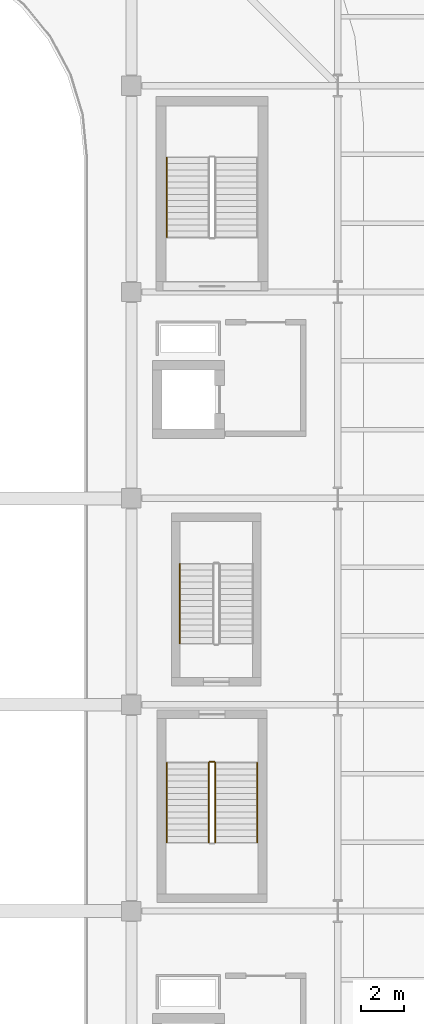
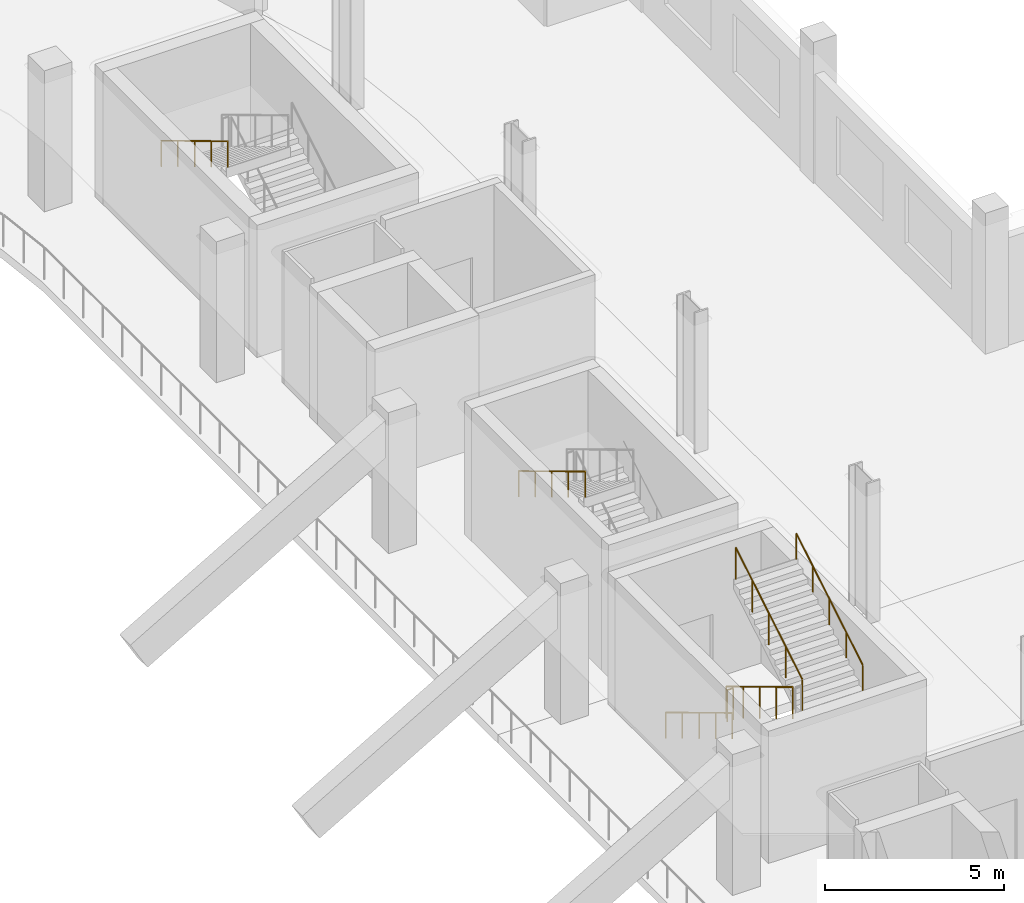
# One storey, part 93 of 100: 7 railings.
"""IFC4 building model written with IfcOpenShell, lengths in metres."""

from ifc_helpers import new_model, si_unit, direction, frame, origin, origin_2d, place, context, subcontext, project, spatial, circle, extrude, material, type_object, element, save


model = new_model("IFC4")

# Units and contexts
model_context = context("Model", 3, precision=1e-05, world=origin(), true_north=direction((0.0, 1.0)))
body_context = subcontext(model_context, "Body", "Model", "MODEL_VIEW")
ifc_project = project(units=[si_unit("LENGTHUNIT", "METRE"), si_unit("AREAUNIT", "SQUARE_METRE"), si_unit("VOLUMEUNIT", "CUBIC_METRE"), si_unit("PLANEANGLEUNIT", "RADIAN"), si_unit("MASSUNIT", "GRAM", prefix="KILO")], contexts=[model_context])

# Site, building, storey
site_placement = place(None, origin())
site = spatial("IfcSite", under=ifc_project, at=site_placement, CompositionType="ELEMENT")
building_placement = place(site_placement, origin())
building = spatial("IfcBuilding", under=site, at=building_placement, Name="Caelomonte Colonnade Arena", CompositionType="ELEMENT")
storey_placement = place(building_placement, origin())
storey = spatial("IfcBuildingStorey", under=building, at=storey_placement, Name="L00", CompositionType="ELEMENT", Elevation=0.0)

# Railings
ifc_material_1 = material(Name="Painted galvanized steel stair guard", Category="steel")
railing_type_1 = type_object("IfcRailingType", Name="INT-RL-GRD", PredefinedType="GUARDRAIL", material=ifc_material_1)
railing_1_placement = place(storey_placement, frame((157.199951171875, 64.5, 0.17138671875)))
element("IfcRailing", 1, at=railing_1_placement, inside=storey, type_object=railing_type_1, Name="L00 ST-10 stair guard 1", PredefinedType="GUARDRAIL", context=body_context, shape_type="SweptSolid", body=[
    extrude(circle(Radius=0.02392578125, at=origin_2d()), frame((0.0, 0.0, 1.076171875), z_axis=(0.0, -0.856934400257, 0.515425487977), x_axis=(1.0, 0.0, 0.0)), (0.0, 0.0, 1.0), 4.32373046875),
    extrude(circle(Radius=0.02099609375, at=origin_2d()), origin(), (0.0, 0.0, 1.0), 1.048095703125),
    extrude(circle(Radius=0.02099609375, at=origin_2d()), frame((0.0, -0.92626953125, 0.55712890625)), (0.0, 0.0, 1.0), 1.048095703125),
    extrude(circle(Radius=0.02099609375, at=origin_2d()), frame((0.0, -1.8525390625, 1.1142578125)), (0.0, 0.0, 1.0), 1.048095703125),
    extrude(circle(Radius=0.02099609375, at=origin_2d()), frame((0.0, -2.77880859375, 1.67138671875)), (0.0, 0.0, 1.0), 1.048095703125),
    extrude(circle(Radius=0.02099609375, at=origin_2d()), frame((0.0, -3.705078125, 2.228515625)), (0.0, 0.0, 1.0), 1.048095703125),
])
railing_2_placement = place(storey_placement, frame((157.5, 60.794921875, 2.571533203125)))
element("IfcRailing", 2, at=railing_2_placement, inside=storey, type_object=railing_type_1, Name="L00 ST-10 stair guard 3", PredefinedType="GUARDRAIL", context=body_context, shape_type="SweptSolid", body=[
    extrude(circle(Radius=0.02392578125, at=origin_2d()), frame((0.0, 0.0, 1.076171875), z_axis=(0.0, 0.856934400257, 0.515425487977), x_axis=(-1.0, 0.0, 0.0)), (0.0, 0.0, 1.0), 4.32373046875),
    extrude(circle(Radius=0.02099609375, at=origin_2d()), origin(), (0.0, 0.0, 1.0), 1.048095703125),
    extrude(circle(Radius=0.02099609375, at=origin_2d()), frame((0.0, 0.92626953125, 0.55712890625)), (0.0, 0.0, 1.0), 1.048095703125),
    extrude(circle(Radius=0.02099609375, at=origin_2d()), frame((0.0, 1.8525390625, 1.1142578125)), (0.0, 0.0, 1.0), 1.048095703125),
    extrude(circle(Radius=0.02099609375, at=origin_2d()), frame((0.0, 2.77880859375, 1.67138671875)), (0.0, 0.0, 1.0), 1.048095703125),
    extrude(circle(Radius=0.02099609375, at=origin_2d()), frame((0.0, 3.705078125, 2.228515625)), (0.0, 0.0, 1.0), 1.048095703125),
])
railing_3_placement = place(storey_placement, frame((157.25, 64.550048828125, 0.0)))
element("IfcRailing", 3, at=railing_3_placement, inside=storey, type_object=railing_type_1, Name="L00 ST-10 stair guard 4", PredefinedType="GUARDRAIL", context=body_context, shape_type="SweptSolid", body=[
    extrude(circle(Radius=0.02392578125, at=origin_2d()), frame((0.0, 0.0, 1.076171875), z_axis=(1.0, 0.0, 0.0), x_axis=(0.0, 1.0, 0.0)), (0.0, 0.0, 1.0), 0.199951171875),
    extrude(circle(Radius=0.02099609375, at=origin_2d()), origin(), (0.0, 0.0, 1.0), 1.048095703125),
    extrude(circle(Radius=0.02099609375, at=origin_2d()), frame((0.199951171875, 0.0, 0.0)), (0.0, 0.0, 1.0), 1.048095703125),
])
ifc_material_2 = material(Name="Brushed stainless steel stair handrail", Category="steel")
railing_type_2 = type_object("IfcRailingType", Name="INT-RL-HR", PredefinedType="HANDRAIL", material=ifc_material_2)
for number, where, name in (
    (4, (155.25, 92.655029296875, 2.571533203125), "L00 ST-03 stair handrail 2"),
    (5, (155.25, 64.5, 0.17138671875), "L00 ST-10 stair handrail 1"),
):
    element("IfcRailing", number, at=place(storey_placement, frame(where)), inside=storey, type_object=railing_type_2, Name=name, PredefinedType="HANDRAIL", context=body_context, shape_type="SweptSolid", body=[
        extrude(circle(Radius=0.02392578125, at=origin_2d()), frame((0.0, 0.0, 0.8759765625), z_axis=(0.0, -0.856934400257, 0.515425487977), x_axis=(1.0, 0.0, 0.0)), (0.0, 0.0, 1.0), 4.32373046875),
        extrude(circle(Radius=0.02099609375, at=origin_2d()), origin(), (0.0, 0.0, 1.0), 0.847900390625),
        extrude(circle(Radius=0.02099609375, at=origin_2d()), frame((0.0, -0.92626953125, 0.55712890625)), (0.0, 0.0, 1.0), 0.847900390625),
        extrude(circle(Radius=0.02099609375, at=origin_2d()), frame((0.0, -1.8525390625, 1.1142578125)), (0.0, 0.0, 1.0), 0.847900390625),
        extrude(circle(Radius=0.02099609375, at=origin_2d()), frame((0.0, -2.77880859375, 1.67138671875)), (0.0, 0.0, 1.0), 0.847900390625),
        extrude(circle(Radius=0.02099609375, at=origin_2d()), frame((0.0, -3.705078125, 2.228515625)), (0.0, 0.0, 1.0), 0.847900390625),
    ])
railing_4_placement = place(storey_placement, frame((159.449951171875, 60.794921875, 2.571533203125)))
element("IfcRailing", 6, at=railing_4_placement, inside=storey, type_object=railing_type_2, Name="L00 ST-10 stair handrail 2", PredefinedType="HANDRAIL", context=body_context, shape_type="SweptSolid", body=[
    extrude(circle(Radius=0.02392578125, at=origin_2d()), frame((0.0, 0.0, 0.8759765625), z_axis=(0.0, 0.856934400257, 0.515425487977), x_axis=(-1.0, 0.0, 0.0)), (0.0, 0.0, 1.0), 4.32373046875),
    extrude(circle(Radius=0.02099609375, at=origin_2d()), origin(), (0.0, 0.0, 1.0), 0.847900390625),
    extrude(circle(Radius=0.02099609375, at=origin_2d()), frame((0.0, 0.92626953125, 0.55712890625)), (0.0, 0.0, 1.0), 0.847900390625),
    extrude(circle(Radius=0.02099609375, at=origin_2d()), frame((0.0, 1.8525390625, 1.1142578125)), (0.0, 0.0, 1.0), 0.847900390625),
    extrude(circle(Radius=0.02099609375, at=origin_2d()), frame((0.0, 2.77880859375, 1.67138671875)), (0.0, 0.0, 1.0), 0.847900390625),
    extrude(circle(Radius=0.02099609375, at=origin_2d()), frame((0.0, 3.705078125, 2.228515625)), (0.0, 0.0, 1.0), 0.847900390625),
])
railing_5_placement = place(storey_placement, frame((155.85009765625, 73.7548828125, 2.571533203125)))
element("IfcRailing", 7, at=railing_5_placement, inside=storey, type_object=railing_type_2, Name="L00 ST-V08 stair handrail 2", PredefinedType="HANDRAIL", context=body_context, shape_type="SweptSolid", body=[
    extrude(circle(Radius=0.02392578125, at=origin_2d()), frame((0.0, 0.0, 0.8759765625), z_axis=(0.0, -0.856919398105, 0.515450429384), x_axis=(1.0, 0.0, 0.0)), (0.0, 0.0, 1.0), 4.323486328125),
    extrude(circle(Radius=0.02099609375, at=origin_2d()), origin(), (0.0, 0.0, 1.0), 0.847900390625),
    extrude(circle(Radius=0.02099609375, at=origin_2d()), frame((0.0, -0.92626953125, 0.55712890625)), (0.0, 0.0, 1.0), 0.847900390625),
    extrude(circle(Radius=0.02099609375, at=origin_2d()), frame((0.0, -1.8525390625, 1.1142578125)), (0.0, 0.0, 1.0), 0.847900390625),
    extrude(circle(Radius=0.02099609375, at=origin_2d()), frame((0.0, -2.778564453125, 1.67138671875)), (0.0, 0.0, 1.0), 0.847900390625),
    extrude(circle(Radius=0.02099609375, at=origin_2d()), frame((0.0, -3.704833984375, 2.228515625)), (0.0, 0.0, 1.0), 0.847900390625),
])

save(model, "model.ifc")
